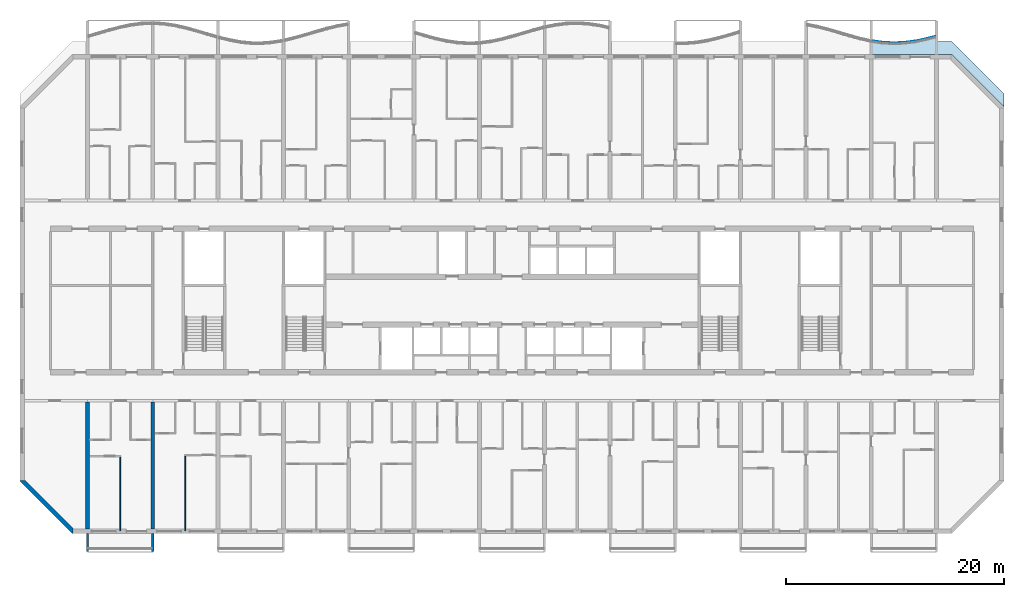
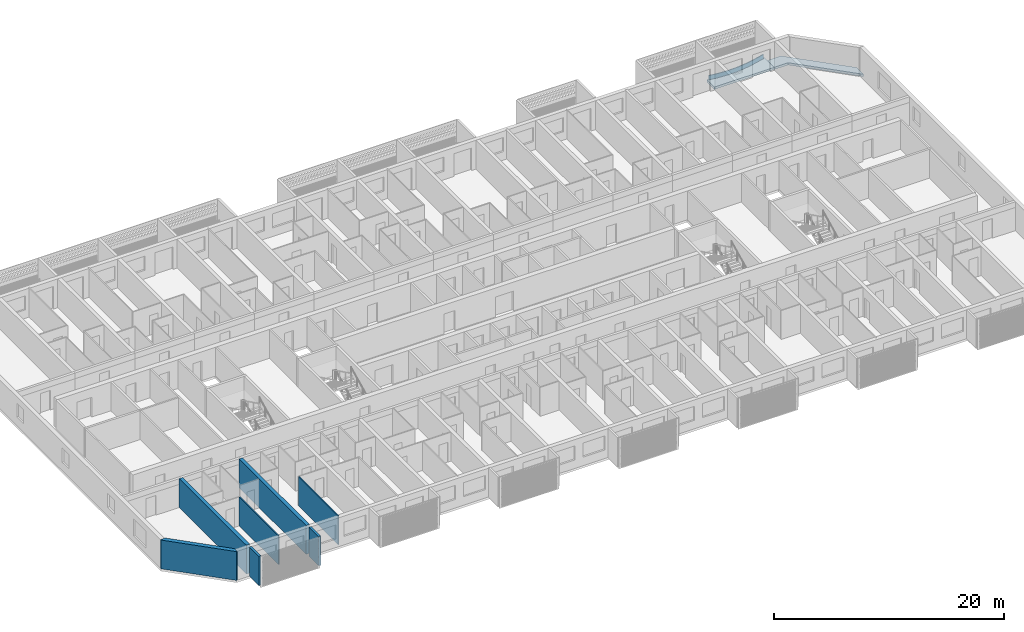
# One storey, part 2 of 28: 7 walls, 2 slabs, 1 plate.
"""IFC4 building model written with IfcOpenShell, lengths in metres."""

from ifc_helpers import new_model, si_unit, direction, frame, frame_2d, origin, place, context, subcontext, project, spatial, polyline, rectangle, outline, extrude, source, transform, mapped, material, layer, layer_set, type_object, element, save


model = new_model("IFC4")

# Units and contexts
model_context = context("Model", 3, precision=1e-05, world=origin(), true_north=direction((0.0, 1.0)))
body_context = subcontext(model_context, "Body", "Model", "MODEL_VIEW")
ifc_project = project(units=[si_unit("LENGTHUNIT", "METRE"), si_unit("AREAUNIT", "SQUARE_METRE"), si_unit("VOLUMEUNIT", "CUBIC_METRE"), si_unit("PLANEANGLEUNIT", "RADIAN"), si_unit("MASSUNIT", "GRAM", prefix="KILO")], contexts=[model_context])

# Site, building, storey
site_placement = place(None, origin())
site = spatial("IfcSite", under=ifc_project, at=site_placement, CompositionType="ELEMENT")
building_placement = place(site_placement, origin())
building = spatial("IfcBuilding", under=site, at=building_placement, Name="Poui Terraces", CompositionType="ELEMENT")
storey_placement = place(building_placement, frame((0.0, 0.0, 72.89990234375)))
storey = spatial("IfcBuildingStorey", under=building, at=storey_placement, Name="L19", CompositionType="ELEMENT", Elevation=72.89990234375)

# Slab
ifc_material_1 = material(Name="Precast concrete 40 MPa", Category="concrete")
ifc_layer_1 = layer(ifc_material_1, 0.239990234375)
ifc_layer_set_1 = layer_set([ifc_layer_1], Name="Precast concrete 40 MPa")
slab_type_1 = type_object("IfcSlabType", Name="BALCONY SLAB 240", PredefinedType="FLOOR", material=ifc_layer_set_1)
slab_1_placement = place(storey_placement, frame((0.0, 0.0, -0.239990234375)))
element("IfcSlab", 1, at=slab_1_placement, inside=storey, type_object=slab_type_1, Name="BALCONY SLAB", PredefinedType="FLOOR", context=body_context, shape_type="SweptSolid", body=[
    extrude(outline(polyline([(84.0, 43.800048828125), (90.0, 43.800048828125), (90.0, 45.531982421875), (89.0, 45.269287109375), (88.0, 45.063720703125), (87.0, 44.9365234375), (86.0, 44.90087890625), (85.0, 44.960205078125), (84.0, 45.1083984375), (84.0, 43.800048828125)])), origin(), (0.0, 0.0, 1.0), 0.239990234375),
])

# Plate
ifc_layer_2 = layer(ifc_material_1, 0.080078125)
ifc_layer_set_2 = layer_set([ifc_layer_2], Name="Precast concrete 40 MPa")
plate_type = type_object("IfcPlateType", Name="SUNSHADE UPSTAND 80", PredefinedType="SHEET", material=ifc_layer_set_2)
plate_placement = place(storey_placement, origin())
element("IfcPlate", 2, at=plate_placement, inside=storey, type_object=plate_type, Name="SUNSHADE UPSTAND", PredefinedType="SHEET", context=body_context, shape_type="SweptSolid", body=[
    extrude(outline(polyline([(85.00390625, 44.954833984375), (84.130615234375, 45.080078125), (84.119384765625, 45.0009765625), (84.99609375, 44.875244140625), (85.99951171875, 44.815673828125), (87.003173828125, 44.8515625), (88.006591796875, 44.979248046875), (89.009033203125, 45.185302734375), (89.885009765625, 45.413330078125), (89.864990234375, 45.49072265625), (88.990966796875, 45.26318359375), (87.993408203125, 45.05810546875), (86.996826171875, 44.931396484375), (86.00048828125, 44.895751953125), (85.00390625, 44.954833984375)])), origin(), (0.0, 0.0, 1.0), 0.4501953125),
])

# Slab
ifc_material_2 = material(Name="Concrete 40 MPa", Category="concrete")
ifc_layer_3 = layer(ifc_material_2, 0.239990234375)
ifc_layer_set_3 = layer_set([ifc_layer_3], Name="Concrete 40 MPa")
slab_type_2 = type_object("IfcSlabType", Name="SKY GARDEN FLOOR SLAB 240", PredefinedType="FLOOR", material=ifc_layer_set_3)
shared_shape_1 = source(origin(), body_context, "Body", "SweptSolid", [
    extrude(outline(polyline([(0.0, 0.0), (0.0, -1.199951171875), (1.39990234375, -1.199951171875), (6.199951171875, -6.0), (6.199951171875, -4.800048828125), (1.39990234375, 0.0), (0.0, 0.0)])), origin(), (0.0, 0.0, 1.0), 0.239990234375),
])
slab_2_placement = place(storey_placement, frame((90.0, 45.0, -0.239990234375)))
element("IfcSlab", 3, at=slab_2_placement, inside=storey, type_object=slab_type_2, Name="SKY GARDEN ROOF SLAB", PredefinedType="FLOOR", context=body_context, shape_type="MappedRepresentation", body=[
    mapped(shared_shape_1, transform((0.0, 0.0, 0.0))),
])

# Walls
ifc_material_3 = material(Name="Concrete 65 MPa", Category="concrete")
ifc_layer_4 = layer(ifc_material_3, 0.35009765625)
ifc_layer_set_4 = layer_set([ifc_layer_4], Name="Concrete 65 MPa")
wall_type_1 = type_object("IfcWallType", Name="CROSS WALL 350 65MPa", PredefinedType="SHEAR", material=ifc_layer_set_4)
for number, where, z_axis, x_axis, name in (
    (4, (12.0, 0.199951171875, 0.0), (0.0, 0.0, 1.0), (0.0, 1.0, 0.0), "CROSS WALL LINE 3 SOUTH"),
    (5, (18.0, 0.199951171875, 0.0), (0.0, 0.0, 1.0), (0.0, 1.0, 0.0), "CROSS WALL LINE 4 SOUTH"),
):
    element("IfcWall", number, at=place(storey_placement, frame(where, z_axis=z_axis, x_axis=x_axis)), inside=storey, type_object=wall_type_1, Name=name, PredefinedType="SHEAR", context=body_context, shape_type="SweptSolid", body=[
        extrude(rectangle(XDim=11.675048828125, YDim=0.35009765625, at=frame_2d((5.83740234375, 0.0))), origin(), (0.0, 0.0, 1.0), 3.06005859375),
    ])
ifc_material_4 = material(Name="Plasterboard partition")
ifc_layer_5 = layer(ifc_material_4, 0.10009765625)
ifc_layer_set_5 = layer_set([ifc_layer_5], Name="Plasterboard partition")
wall_type_2 = type_object("IfcWallType", Name="FLAT PARTITION 100", PredefinedType="PARTITIONING", material=ifc_layer_set_5)
wall_1_placement = place(storey_placement, frame((15.0, 0.06005859375, 0.0), z_axis=(0.0, 0.0, 1.0), x_axis=(0.0, 1.0, 0.0)))
element("IfcWall", 6, at=wall_1_placement, inside=storey, type_object=wall_type_2, Name="FLAT PARTITION 100", PredefinedType="PARTITIONING", context=body_context, shape_type="SweptSolid", body=[
    extrude(rectangle(XDim=6.7900390625, YDim=0.10009765625, at=frame_2d((3.39501953125, 0.0))), origin(), (0.0, 0.0, 1.0), 3.06005859375),
])
wall_2_placement = place(storey_placement, frame((21.0, 0.06005859375, 0.0), z_axis=(0.0, 0.0, 1.0), x_axis=(0.0, 1.0, 0.0)))
element("IfcWall", 7, at=wall_2_placement, inside=storey, type_object=wall_type_2, Name="FLAT PARTITION 100", PredefinedType="PARTITIONING", context=body_context, shape_type="SweptSolid", body=[
    extrude(rectangle(XDim=6.889892578125, YDim=0.10009765625, at=frame_2d((3.44482421875, 0.0))), origin(), (0.0, 0.0, 1.0), 3.06005859375),
])
ifc_layer_6 = layer(ifc_material_1, 0.39990234375)
ifc_layer_set_6 = layer_set([ifc_layer_6], Name="Precast concrete 40 MPa")
wall_type_3 = type_object("IfcWallType", Name="TERRACOTTA CLAD CHAMFER WALL 400", PredefinedType="STANDARD", material=ifc_layer_set_6)
wall_3_placement = place(storey_placement, origin())
element("IfcWall", 8, at=wall_3_placement, inside=storey, type_object=wall_type_3, Name="CHAMFER WALL CH07", PredefinedType="STANDARD", context=body_context, shape_type="SweptSolid", body=[
    extrude(outline(polyline([(5.800048828125, 4.682861328125), (5.800048828125, 4.60009765625), (10.60009765625, -0.199951171875), (10.682861328125, -0.199951171875), (10.682861328125, 0.28271484375), (6.28271484375, 4.682861328125), (5.800048828125, 4.682861328125)])), origin(), (0.0, 0.0, 1.0), 3.06005859375),
])
ifc_layer_7 = layer(ifc_material_1, 0.199951171875)
ifc_layer_set_7 = layer_set([ifc_layer_7], Name="Precast concrete 40 MPa")
wall_type_4 = type_object("IfcWallType", Name="REAR FIN 200", PredefinedType="STANDARD", material=ifc_layer_set_7)
shared_shape_2 = source(origin(), body_context, "Body", "SweptSolid", [
    extrude(outline(polyline([(0.0, 0.0), (0.2001953125, 0.0), (0.2001953125, 1.650146484375), (0.0, 1.650146484375), (0.0, 0.0)])), origin(), (0.0, 0.0, 1.0), 3.10009765625),
])
for number, where, name in (
    (9, (11.89990234375, -1.85009765625, 0.0), "REAR FIN"),
    (10, (17.89990234375, -1.85009765625, 0.0), "REAR FIN"),
):
    element("IfcWall", number, at=place(storey_placement, frame(where)), inside=storey, type_object=wall_type_4, Name=name, PredefinedType="STANDARD", context=body_context, shape_type="MappedRepresentation", body=[
        mapped(shared_shape_2, transform((0.0, 0.0, 0.0))),
    ])

save(model, "model.ifc")
